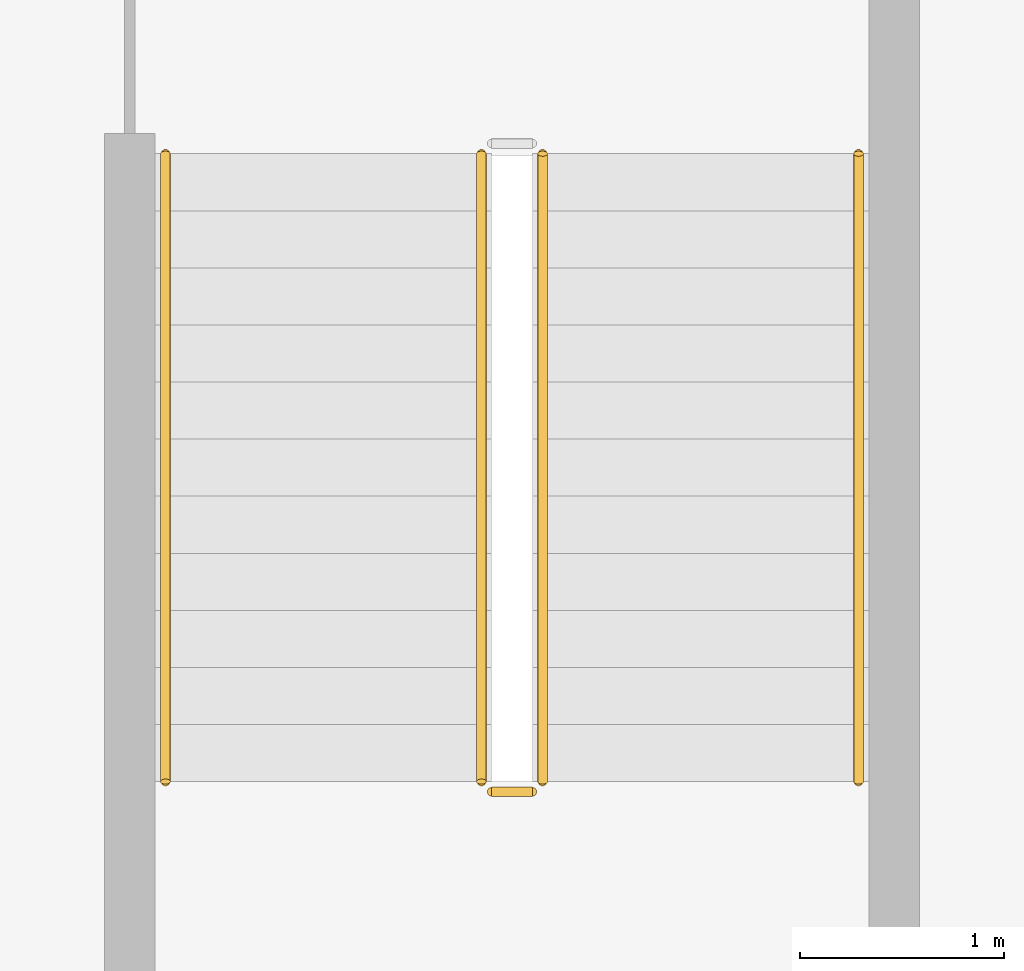
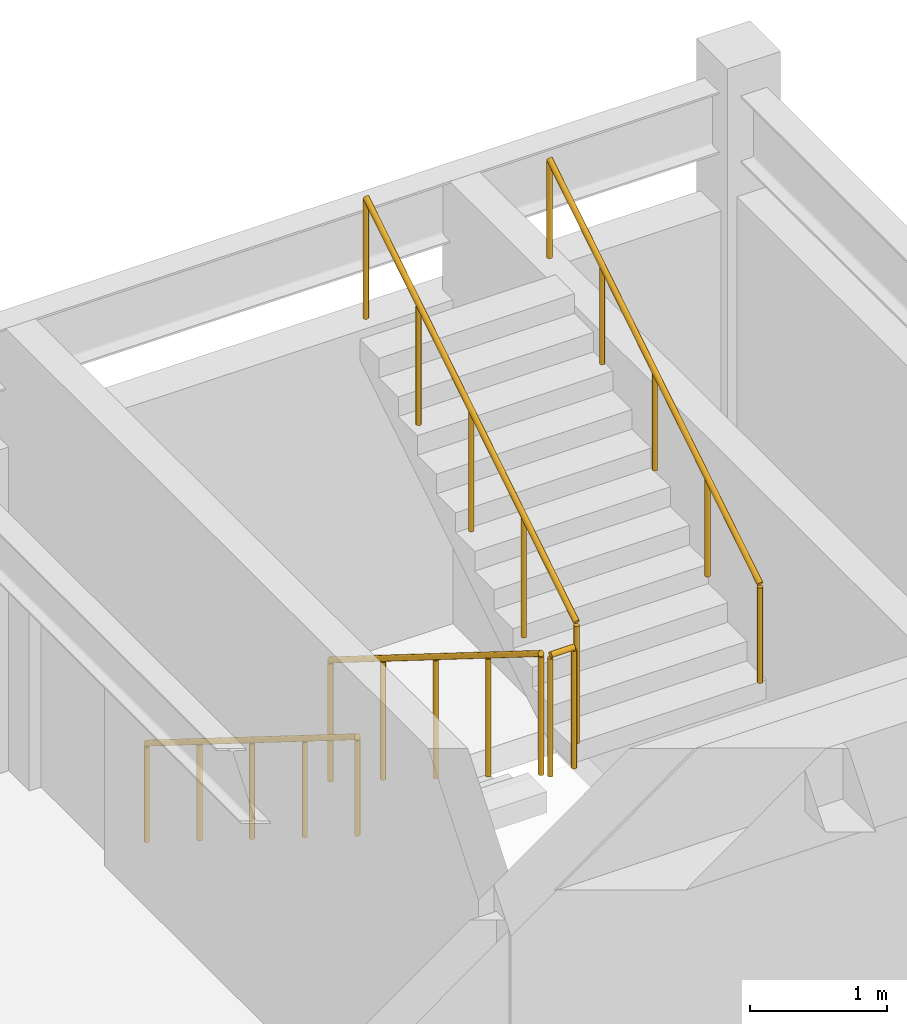
# One storey, part 48 of 51: 5 railings.
"""IFC4 building model written with IfcOpenShell, lengths in metres."""

import ifcopenshell
import ifcopenshell.guid

model = None  # the IFC model being written
_history = None  # IfcOwnerHistory: only IFC2X3 demands one
_inside = {}  # id of a spatial element -> (the spatial element, [elements in it])
_under = {}  # id of a project, library or spatial element -> (it, [spatial elements below it])
_declared = {}  # id of a project -> (the project, [libraries it declares])
_typed = {}  # id of a type object -> (the type object, [elements of that type])
_made_of = {}  # id of a material, layer set ... -> (it, [elements and type objects made of it])


def new_model(schema):
    """Start an empty IFC model of exactly this schema.

    Asked for "IFC4X3", IfcOpenShell would pick the latest addendum, in which some entities
    have other attributes; the version numbers below select the first issue.
    IFC2X3 requires an IfcOwnerHistory on every rooted entity: one is made here for all.
    """
    global model, _history
    if schema == "IFC4X3":
        model = ifcopenshell.file(schema_version=(4, 3, 0, 0))
    else:
        model = ifcopenshell.file(schema=schema)
    _inside.clear()
    _under.clear()
    _declared.clear()
    _typed.clear()
    _made_of.clear()
    _history = None
    if model.schema == "IFC2X3":
        org = make("IfcOrganization", Name="unknown")
        user = make(
            "IfcPersonAndOrganization",
            ThePerson=make("IfcPerson", FamilyName="unknown"),
            TheOrganization=org,
        )
        app = make(
            "IfcApplication",
            ApplicationDeveloper=org,
            Version="unknown",
            ApplicationFullName="unknown",
            ApplicationIdentifier="unknown",
        )
        _history = make(
            "IfcOwnerHistory",
            OwningUser=user,
            OwningApplication=app,
            ChangeAction="ADDED",
            CreationDate=0,
        )
    return model


def make(cls, **values):
    """One entity of the class cls with the attributes given. An attribute that is None is left unset."""
    return model.create_entity(
        cls, **{name: value for name, value in values.items() if value is not None}
    )


def rooted(cls, **values):
    """An entity with a GlobalId (a new one), such as an element, a storey or a relation."""
    return make(cls, GlobalId=ifcopenshell.guid.new(), OwnerHistory=_history, **values)


def si_unit(unit_type, name, prefix=None):
    """IfcSIUnit, for example si_unit("LENGTHUNIT", "METRE", prefix="MILLI")."""
    return make("IfcSIUnit", UnitType=unit_type, Prefix=prefix, Name=name)


def assignment(units):
    """IfcUnitAssignment: the units of a project."""
    return None if units is None else make("IfcUnitAssignment", Units=units)


def point(xyz):
    """IfcCartesianPoint."""
    return None if xyz is None else make("IfcCartesianPoint", Coordinates=xyz)


def direction(xyz):
    """IfcDirection."""
    return None if xyz is None else make("IfcDirection", DirectionRatios=xyz)


def frame(location, z_axis=None, x_axis=None):
    """IfcAxis2Placement3D, a coordinate frame: its origin and axes. An axis left out is left unset."""
    return make(
        "IfcAxis2Placement3D",
        Location=point(location),
        Axis=direction(z_axis),
        RefDirection=direction(x_axis),
    )


def frame_2d(location, x_axis=None):
    """IfcAxis2Placement2D, a coordinate frame in the plane: its origin and x axis."""
    return make(
        "IfcAxis2Placement2D", Location=point(location), RefDirection=direction(x_axis)
    )


def origin():
    """The frame at (0, 0, 0) with its axes left unset."""
    return frame((0.0, 0.0, 0.0))


def origin_2d():
    """The frame at (0, 0) in the plane with its x axis left unset."""
    return frame_2d((0.0, 0.0))


def place(relative_to, where):
    """IfcLocalPlacement: puts the frame where relative to a parent placement (None: the world)."""
    return make(
        "IfcLocalPlacement", PlacementRelTo=relative_to, RelativePlacement=where
    )


def context(
    kind, dimensions, precision=None, world=None, true_north=None, identifier=None
):
    """IfcGeometricRepresentationContext, for example the 3D "Model" context."""
    return make(
        "IfcGeometricRepresentationContext",
        ContextIdentifier=identifier,
        ContextType=kind,
        CoordinateSpaceDimension=dimensions,
        Precision=precision,
        WorldCoordinateSystem=world,
        TrueNorth=true_north,
    )


def subcontext(parent, identifier, kind, view, scale=None):
    """IfcGeometricRepresentationSubContext, for example "Body" below "Model"."""
    return make(
        "IfcGeometricRepresentationSubContext",
        ContextIdentifier=identifier,
        ContextType=kind,
        ParentContext=parent,
        TargetScale=scale,
        TargetView=view,
    )


def project(units=None, contexts=None):
    """IfcProject with its units and contexts."""
    return rooted(
        "IfcProject",
        Name="project",
        RepresentationContexts=contexts,
        UnitsInContext=assignment(units),
    )


def spatial(cls, under=None, at=None, **own):
    """A site, building, storey or space (cls), placed at a placement, below another one or the project."""
    s = rooted(cls, ObjectPlacement=at, **own)
    if under is not None:
        _under.setdefault(under.id(), (under, []))[1].append(s)
    return s


def profile(cls, at=None, kind="AREA", **sizes):
    """A parametric profile (cls). Its sizes go by their IFC names, for example OverallWidth=200.0."""
    return make(cls, ProfileType=kind, Position=at, **sizes)


def circle(**sizes):
    """IfcCircleProfileDef."""
    return profile("IfcCircleProfileDef", **sizes)


def extrude(swept, where, along, depth):
    """IfcExtrudedAreaSolid: the profile swept, set in the frame where, extruded along a direction by depth."""
    return make(
        "IfcExtrudedAreaSolid",
        SweptArea=swept,
        Position=where,
        ExtrudedDirection=direction(along),
        Depth=depth,
    )


def shape(context_of_items, identifier, shape_type, items):
    """IfcShapeRepresentation: the items that make up one representation, for example the "Body"."""
    return make(
        "IfcShapeRepresentation",
        ContextOfItems=context_of_items,
        RepresentationIdentifier=identifier,
        RepresentationType=shape_type,
        Items=items,
    )


def material(Name=None, Category=None):
    """IfcMaterial."""
    return make("IfcMaterial", Name=Name, Category=Category)


def layer(
    of_material, thickness, ventilated=None, Name=None, Category=None, Priority=None
):
    """IfcMaterialLayer: one layer of a wall or slab, of a material (None: an air gap)."""
    return make(
        "IfcMaterialLayer",
        Material=of_material,
        LayerThickness=thickness,
        IsVentilated=ventilated,
        Name=Name,
        Category=Category,
        Priority=Priority,
    )


def layer_set(layers, Name=None):
    """IfcMaterialLayerSet."""
    return make("IfcMaterialLayerSet", MaterialLayers=layers, LayerSetName=Name)


def made_of(thing, what):
    """Note that an element or type object is made of a material, layer set ...; save() writes the relation."""
    if what is not None:
        _made_of.setdefault(what.id(), (what, []))[1].append(thing)
    return thing


def type_object(cls, material=None, **own):
    """A type object (cls), such as IfcWallType, which elements share."""
    return made_of(rooted(cls, **own), material)


def element(
    cls,
    number,
    at=None,
    inside=None,
    cuts=None,
    type_object=None,
    material=None,
    context=None,
    identifier="Body",
    shape_type=None,
    held_by="IfcProductDefinitionShape",
    body=None,
    shapes=None,
    **own,
):
    """One element of the class cls, such as IfcWall. Its Tag is "e" and its number.

    at: its placement. inside: the storey or other place that contains it. cuts: it is an
    opening in that element (IfcRelVoidsElement). A single representation is given by context,
    identifier, shape_type and body (its items); several are given by shapes. held_by: the class
    of the entity that holds the representations. save() writes the other relations.
    """
    e = rooted(cls, Tag="e%d" % number, ObjectPlacement=at, **own)
    if body is not None:
        shapes = [shape(context, identifier, shape_type, body)]
    if shapes is not None:
        e.Representation = make(held_by, Representations=shapes)
    if inside is not None:
        _inside.setdefault(inside.id(), (inside, []))[1].append(e)
    if cuts is not None:
        rooted(
            "IfcRelVoidsElement", RelatingBuildingElement=cuts, RelatedOpeningElement=e
        )
    if type_object is not None:
        _typed.setdefault(type_object.id(), (type_object, []))[1].append(e)
    return made_of(e, material)


def aggregate(whole, parts):
    """IfcRelAggregates: a whole, such as a stair, and the parts it consists of."""
    return rooted("IfcRelAggregates", RelatingObject=whole, RelatedObjects=parts)


def save(model, path):
    """Write the relations noted so far, then the file.

    IfcRelAggregates (storeys below a building ...), IfcRelContainedInSpatialStructure (elements
    in a storey), IfcRelDefinesByType, IfcRelAssociatesMaterial and IfcRelDeclares: one each for
    every whole, place, type object, material and project.
    """
    for whole, parts in _under.values():
        aggregate(whole, parts)
    for where, things in _inside.values():
        rooted(
            "IfcRelContainedInSpatialStructure",
            RelatedElements=things,
            RelatingStructure=where,
        )
    for kind, things in _typed.values():
        rooted("IfcRelDefinesByType", RelatedObjects=things, RelatingType=kind)
    for what, things in _made_of.values():
        rooted("IfcRelAssociatesMaterial", RelatedObjects=things, RelatingMaterial=what)
    for by, libraries in _declared.values():
        rooted("IfcRelDeclares", RelatingContext=by, RelatedDefinitions=libraries)
    model.write(path)


model = new_model("IFC4")

# Units and contexts
model_context = context("Model", 3, precision=1e-05, world=origin(), true_north=direction((0.0, 1.0)))
body_context = subcontext(model_context, "Body", "Model", "MODEL_VIEW")
ifc_project = project(units=[si_unit("LENGTHUNIT", "METRE"), si_unit("AREAUNIT", "SQUARE_METRE"), si_unit("VOLUMEUNIT", "CUBIC_METRE"), si_unit("PLANEANGLEUNIT", "RADIAN"), si_unit("MASSUNIT", "GRAM", prefix="KILO")], contexts=[model_context])

# Site, building, storey
site_placement = place(None, origin())
site = spatial("IfcSite", under=ifc_project, at=site_placement, CompositionType="ELEMENT")
building_placement = place(site_placement, origin())
building = spatial("IfcBuilding", under=site, at=building_placement, Name="Qasida Concert Hall", CompositionType="ELEMENT")
storey_placement = place(building_placement, frame((0.0, 0.0, 21.0)))
storey = spatial("IfcBuildingStorey", under=building, at=storey_placement, Name="L05", CompositionType="ELEMENT", Elevation=21.0)

# Railings
ifc_material_1 = material(Name="Patinated architectural bronze and laminated glass infill", Category="glass")
ifc_layer_1 = layer(ifc_material_1, 0.080078125, Name="Patinated architectural bronze and laminated glass infill")
ifc_layer_set_1 = layer_set([ifc_layer_1], Name="Patinated architectural bronze and laminated glass infill")
railing_type_1 = type_object("IfcRailingType", Name="RL-GRD-1100", PredefinedType="GUARDRAIL", material=ifc_layer_set_1)
railing_1_placement = place(storey_placement, frame((18.10009765625, 110.85009765625, 0.175048828125)))
element("IfcRailing", 1, at=railing_1_placement, inside=storey, type_object=railing_type_1, Name="L05 ST-06 stair guard 1", PredefinedType="GUARDRAIL", context=body_context, shape_type="SweptSolid", body=[
    extrude(circle(Radius=0.02392578125, at=origin_2d()), frame((0.0, 0.0, 1.076171875), z_axis=(0.0, -0.847998304005, 0.529998940003), x_axis=(1.0, 0.0, 0.0)), (0.0, 0.0, 1.0), 3.632080078125),
    extrude(circle(Radius=0.02099609375, at=origin_2d()), origin(), (0.0, 0.0, 1.0), 1.052001953125),
    extrude(circle(Radius=0.02099609375, at=origin_2d()), frame((0.0, -0.77001953125, 0.481201171875)), (0.0, 0.0, 1.0), 1.052001953125),
    extrude(circle(Radius=0.02099609375, at=origin_2d()), frame((0.0, -1.5400390625, 0.96240234375)), (0.0, 0.0, 1.0), 1.052001953125),
    extrude(circle(Radius=0.02099609375, at=origin_2d()), frame((0.0, -2.31005859375, 1.44384765625)), (0.0, 0.0, 1.0), 1.052001953125),
    extrude(circle(Radius=0.02099609375, at=origin_2d()), frame((0.0, -3.080078125, 1.925048828125)), (0.0, 0.0, 1.0), 1.052001953125),
])
railing_2_placement = place(storey_placement, frame((18.14990234375, 107.719970703125, 2.10009765625)))
element("IfcRailing", 2, at=railing_2_placement, inside=storey, type_object=railing_type_1, Name="L05 ST-06 stair guard 2", PredefinedType="GUARDRAIL", context=body_context, shape_type="SweptSolid", body=[
    extrude(circle(Radius=0.02392578125, at=origin_2d()), frame((0.0, 0.0, 1.076171875), z_axis=(1.0, 0.0, 0.0), x_axis=(0.0, 1.0, 0.0)), (0.0, 0.0, 1.0), 0.2001953125),
    extrude(circle(Radius=0.02099609375, at=origin_2d()), origin(), (0.0, 0.0, 1.0), 1.052001953125),
    extrude(circle(Radius=0.02099609375, at=origin_2d()), frame((0.2001953125, 0.0, 0.0)), (0.0, 0.0, 1.0), 1.052001953125),
])
railing_3_placement = place(storey_placement, frame((18.39990234375, 107.77001953125, 2.27490234375)))
element("IfcRailing", 3, at=railing_3_placement, inside=storey, type_object=railing_type_1, Name="L05 ST-06 stair guard 3", PredefinedType="GUARDRAIL", context=body_context, shape_type="SweptSolid", body=[
    extrude(circle(Radius=0.02392578125, at=origin_2d()), frame((0.0, 0.0, 1.076171875), z_axis=(0.0, 0.847998304005, 0.529998940003), x_axis=(-1.0, 0.0, 0.0)), (0.0, 0.0, 1.0), 3.632080078125),
    extrude(circle(Radius=0.02099609375, at=origin_2d()), origin(), (0.0, 0.0, 1.0), 1.052001953125),
    extrude(circle(Radius=0.02099609375, at=origin_2d()), frame((0.0, 0.77001953125, 0.481201171875)), (0.0, 0.0, 1.0), 1.052001953125),
    extrude(circle(Radius=0.02099609375, at=origin_2d()), frame((0.0, 1.5400390625, 0.96240234375)), (0.0, 0.0, 1.0), 1.052001953125),
    extrude(circle(Radius=0.02099609375, at=origin_2d()), frame((0.0, 2.31005859375, 1.44384765625)), (0.0, 0.0, 1.0), 1.052001953125),
    extrude(circle(Radius=0.02099609375, at=origin_2d()), frame((0.0, 3.080078125, 1.925048828125)), (0.0, 0.0, 1.0), 1.052001953125),
])
ifc_material_2 = material(Name="Patinated tubular architectural bronze", Category="steel")
ifc_layer_2 = layer(ifc_material_2, 0.050048828125, Name="Patinated tubular architectural bronze")
ifc_layer_set_2 = layer_set([ifc_layer_2], Name="Patinated tubular architectural bronze")
railing_type_2 = type_object("IfcRailingType", Name="RL-HND-900", PredefinedType="HANDRAIL", material=ifc_layer_set_2)
railing_4_placement = place(storey_placement, frame((16.550048828125, 110.85009765625, 0.175048828125)))
element("IfcRailing", 4, at=railing_4_placement, inside=storey, type_object=railing_type_2, Name="L05 ST-06 stair handrail 1", PredefinedType="HANDRAIL", context=body_context, shape_type="SweptSolid", body=[
    extrude(circle(Radius=0.02392578125, at=origin_2d()), frame((0.0, 0.0, 0.8759765625), z_axis=(0.0, -0.847998304005, 0.529998940003), x_axis=(1.0, 0.0, 0.0)), (0.0, 0.0, 1.0), 3.632080078125),
    extrude(circle(Radius=0.02099609375, at=origin_2d()), origin(), (0.0, 0.0, 1.0), 0.851806640625),
    extrude(circle(Radius=0.02099609375, at=origin_2d()), frame((0.0, -0.77001953125, 0.481201171875)), (0.0, 0.0, 1.0), 0.851806640625),
    extrude(circle(Radius=0.02099609375, at=origin_2d()), frame((0.0, -1.5400390625, 0.96240234375)), (0.0, 0.0, 1.0), 0.851806640625),
    extrude(circle(Radius=0.02099609375, at=origin_2d()), frame((0.0, -2.31005859375, 1.44384765625)), (0.0, 0.0, 1.0), 0.851806640625),
    extrude(circle(Radius=0.02099609375, at=origin_2d()), frame((0.0, -3.080078125, 1.925048828125)), (0.0, 0.0, 1.0), 0.851806640625),
])
railing_5_placement = place(storey_placement, frame((19.949951171875, 107.77001953125, 2.27490234375)))
element("IfcRailing", 5, at=railing_5_placement, inside=storey, type_object=railing_type_2, Name="L05 ST-06 stair handrail 2", PredefinedType="HANDRAIL", context=body_context, shape_type="SweptSolid", body=[
    extrude(circle(Radius=0.02392578125, at=origin_2d()), frame((0.0, 0.0, 0.8759765625), z_axis=(0.0, 0.847998304005, 0.529998940003), x_axis=(-1.0, 0.0, 0.0)), (0.0, 0.0, 1.0), 3.632080078125),
    extrude(circle(Radius=0.02099609375, at=origin_2d()), origin(), (0.0, 0.0, 1.0), 0.851806640625),
    extrude(circle(Radius=0.02099609375, at=origin_2d()), frame((0.0, 0.77001953125, 0.481201171875)), (0.0, 0.0, 1.0), 0.851806640625),
    extrude(circle(Radius=0.02099609375, at=origin_2d()), frame((0.0, 1.5400390625, 0.96240234375)), (0.0, 0.0, 1.0), 0.851806640625),
    extrude(circle(Radius=0.02099609375, at=origin_2d()), frame((0.0, 2.31005859375, 1.44384765625)), (0.0, 0.0, 1.0), 0.851806640625),
    extrude(circle(Radius=0.02099609375, at=origin_2d()), frame((0.0, 3.080078125, 1.925048828125)), (0.0, 0.0, 1.0), 0.851806640625),
])

save(model, "model.ifc")
